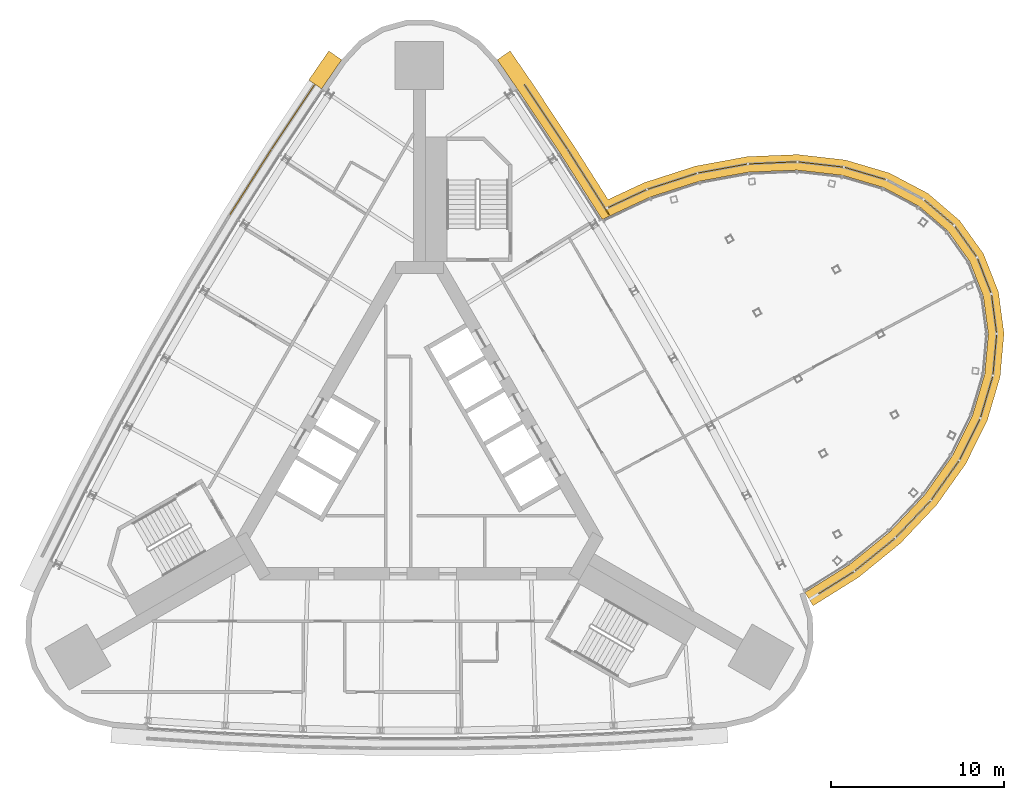
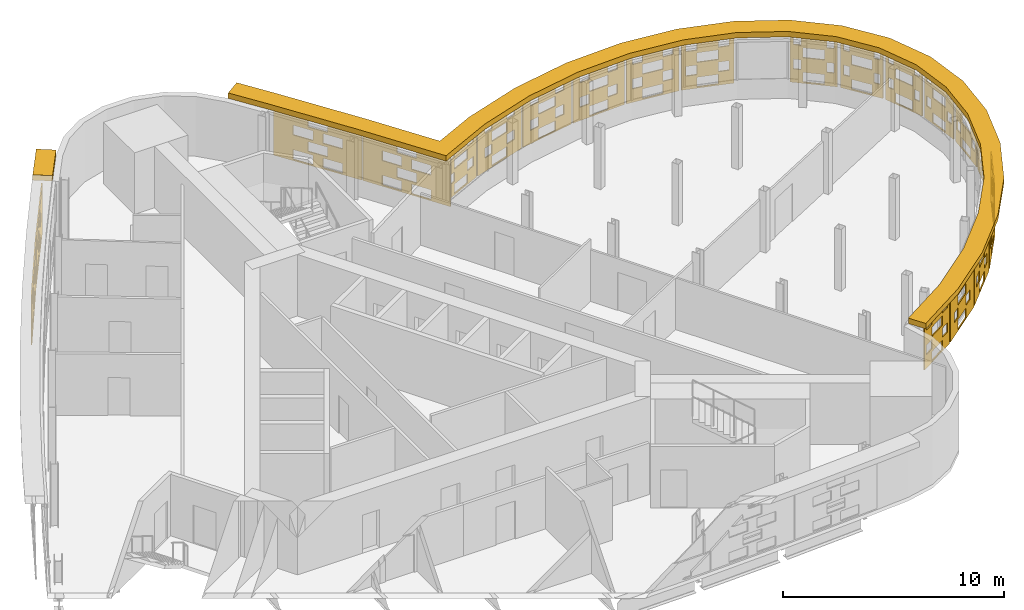
# One storey, part 14 of 15: 23 shading devices.
"""IFC4 building model written with IfcOpenShell, lengths in metres."""

from ifc_helpers import new_model, si_unit, direction, frame, origin, place, context, subcontext, project, spatial, polyline, outline, extrude, material, layer, layer_set, material_profile, profile_set, type_object, element, save


model = new_model("IFC4")

# Units and contexts
model_context = context("Model", 3, precision=1e-05, world=origin(), true_north=direction((0.0, 1.0)))
body_context = subcontext(model_context, "Body", "Model", "MODEL_VIEW")
ifc_project = project(units=[si_unit("LENGTHUNIT", "METRE"), si_unit("AREAUNIT", "SQUARE_METRE"), si_unit("VOLUMEUNIT", "CUBIC_METRE"), si_unit("PLANEANGLEUNIT", "RADIAN"), si_unit("MASSUNIT", "GRAM", prefix="KILO")], contexts=[model_context])

# Site, building, storey
site_placement = place(None, origin())
site = spatial("IfcSite", under=ifc_project, at=site_placement, CompositionType="ELEMENT")
building_placement = place(site_placement, origin())
building = spatial("IfcBuilding", under=site, at=building_placement, Name="Noor Cloister Tower", CompositionType="ELEMENT")
storey_placement = place(building_placement, frame((0.0, 0.0, 174.300048828125)))
storey = spatial("IfcBuildingStorey", under=building, at=storey_placement, Name="L44", CompositionType="ELEMENT", Elevation=174.300048828125)

# Shading devices
ifc_material_1 = material(Name="Limestone", Category="masonry")
ifc_material_profile = material_profile(ifc_material_1, outline(polyline([(-2.22998046875, -1.35009765625), (2.22998046875, -1.35009765625), (2.22998046875, 1.35009765625), (-2.22998046875, 1.35009765625), (-2.22998046875, -1.35009765625)]), holes=[polyline([(-1.25, -1.282470703125), (-0.25, -1.282470703125), (-0.25, -0.742431640625), (-1.25, -0.742431640625), (-1.25, -1.282470703125)]), polyline([(0.25, -1.282470703125), (1.25, -1.282470703125), (1.25, -0.742431640625), (0.25, -0.742431640625), (0.25, -1.282470703125)]), polyline([(-0.5, -0.607421875), (0.5, -0.607421875), (0.5, -0.0673828125), (-0.5, -0.0673828125), (-0.5, -0.607421875)]), polyline([(-1.25, 0.0673828125), (-0.25, 0.0673828125), (-0.25, 0.607421875), (-1.25, 0.607421875), (-1.25, 0.0673828125)]), polyline([(0.25, 0.0673828125), (1.25, 0.0673828125), (1.25, 0.607421875), (0.25, 0.607421875), (0.25, 0.0673828125)]), polyline([(-0.5, 0.742431640625), (0.5, 0.742431640625), (0.5, 1.282470703125), (-0.5, 1.282470703125), (-0.5, 0.742431640625)])]), Name="Woven screen 32 percent open")
ifc_profile_set = profile_set([ifc_material_profile], Name="Limestone")
shading_device_type_1 = type_object("IfcShadingDeviceType", Name="SCREEN woven limestone 32 percent open", PredefinedType="USERDEFINED", material=ifc_profile_set)
shading_device_1_placement = place(storey_placement, frame((-7.2734375, 19.809326171875, 1.849853515625), z_axis=(-0.832050294338, 0.554700196225, 0.0), x_axis=(-0.554700196225, -0.832050294338, 0.0)))
element("IfcShadingDevice", 1, at=shading_device_1_placement, inside=storey, type_object=shading_device_type_1, Name="SCREEN L44 1", ObjectType="SCREEN", PredefinedType="USERDEFINED", context=body_context, shape_type="SweptSolid", body=[
    extrude(outline(polyline([(-2.22998046875, -1.35009765625), (2.22998046875, -1.35009765625), (2.22998046875, 1.35009765625), (-2.22998046875, 1.35009765625), (-2.22998046875, -1.35009765625)]), holes=[polyline([(-1.25, -1.282470703125), (-0.25, -1.282470703125), (-0.25, -0.742431640625), (-1.25, -0.742431640625), (-1.25, -1.282470703125)]), polyline([(0.25, -1.282470703125), (1.25, -1.282470703125), (1.25, -0.742431640625), (0.25, -0.742431640625), (0.25, -1.282470703125)]), polyline([(-0.5, -0.607421875), (0.5, -0.607421875), (0.5, -0.0673828125), (-0.5, -0.0673828125), (-0.5, -0.607421875)]), polyline([(-1.25, 0.0673828125), (-0.25, 0.0673828125), (-0.25, 0.607421875), (-1.25, 0.607421875), (-1.25, 0.0673828125)]), polyline([(0.25, 0.0673828125), (1.25, 0.0673828125), (1.25, 0.607421875), (0.25, 0.607421875), (0.25, 0.0673828125)]), polyline([(-0.5, 0.742431640625), (0.5, 0.742431640625), (0.5, 1.282470703125), (-0.5, 1.282470703125), (-0.5, 0.742431640625)])]), origin(), (0.0, 0.0, 1.0), 0.059814453125),
])
for number, where, z_axis, x_axis, name in (
    (2, (-9.7314453125, 16.029052734375, 1.849853515625), (-0.844329420183, 0.535824439731, 0.0), (-0.535824439731, -0.844329420183, 0.0), "SCREEN L44 2"),
    (3, (9.7314453125, 16.029052734375, 1.849853515625), (0.844329420183, 0.535824439731, 0.0), (-0.535824439731, 0.844329420183, 0.0), "SCREEN L44 19"),
):
    element("IfcShadingDevice", number, at=place(storey_placement, frame(where, z_axis=z_axis, x_axis=x_axis)), inside=storey, type_object=shading_device_type_1, Name=name, ObjectType="SCREEN", PredefinedType="USERDEFINED", context=body_context, shape_type="SweptSolid", body=[
        extrude(outline(polyline([(-2.22998046875, -1.35009765625), (2.22998046875, -1.35009765625), (2.22998046875, 1.35009765625), (-2.22998046875, 1.35009765625), (-2.22998046875, -1.35009765625)]), holes=[polyline([(-1.25, -1.282470703125), (-0.25, -1.282470703125), (-0.25, -0.742431640625), (-1.25, -0.742431640625), (-1.25, -1.282470703125)]), polyline([(0.25, -1.282470703125), (1.25, -1.282470703125), (1.25, -0.742431640625), (0.25, -0.742431640625), (0.25, -1.282470703125)]), polyline([(-0.5, -0.607421875), (0.5, -0.607421875), (0.5, -0.0673828125), (-0.5, -0.0673828125), (-0.5, -0.607421875)]), polyline([(-1.25, 0.0673828125), (-0.25, 0.0673828125), (-0.25, 0.607421875), (-1.25, 0.607421875), (-1.25, 0.0673828125)]), polyline([(0.25, 0.0673828125), (1.25, 0.0673828125), (1.25, 0.607421875), (0.25, 0.607421875), (0.25, 0.0673828125)]), polyline([(-0.5, 0.742431640625), (0.5, 0.742431640625), (0.5, 1.282470703125), (-0.5, 1.282470703125), (-0.5, 0.742431640625)])]), origin(), (0.0, 0.0, 1.0), 0.06005859375),
    ])
shading_device_2_placement = place(storey_placement, frame((7.2734375, 19.809326171875, 1.849853515625), z_axis=(0.832050294338, 0.554700196225, 0.0), x_axis=(-0.554700196225, 0.832050294338, 0.0)))
element("IfcShadingDevice", 4, at=shading_device_2_placement, inside=storey, type_object=shading_device_type_1, Name="SCREEN L44 20", ObjectType="SCREEN", PredefinedType="USERDEFINED", context=body_context, shape_type="SweptSolid", body=[
    extrude(outline(polyline([(-2.22998046875, -1.35009765625), (2.22998046875, -1.35009765625), (2.22998046875, 1.35009765625), (-2.22998046875, 1.35009765625), (-2.22998046875, -1.35009765625)]), holes=[polyline([(-1.25, -1.282470703125), (-0.25, -1.282470703125), (-0.25, -0.742431640625), (-1.25, -0.742431640625), (-1.25, -1.282470703125)]), polyline([(0.25, -1.282470703125), (1.25, -1.282470703125), (1.25, -0.742431640625), (0.25, -0.742431640625), (0.25, -1.282470703125)]), polyline([(-0.5, -0.607421875), (0.5, -0.607421875), (0.5, -0.0673828125), (-0.5, -0.0673828125), (-0.5, -0.607421875)]), polyline([(-1.25, 0.0673828125), (-0.25, 0.0673828125), (-0.25, 0.607421875), (-1.25, 0.607421875), (-1.25, 0.0673828125)]), polyline([(0.25, 0.0673828125), (1.25, 0.0673828125), (1.25, 0.607421875), (0.25, 0.607421875), (0.25, 0.0673828125)]), polyline([(-0.5, 0.742431640625), (0.5, 0.742431640625), (0.5, 1.282470703125), (-0.5, 1.282470703125), (-0.5, 0.742431640625)])]), origin(), (0.0, 0.0, 1.0), 0.059814453125),
])
ifc_material_2 = material(Name="Limestone", Category="masonry")
ifc_layer = layer(ifc_material_2, 0.06005859375)
ifc_layer_set = layer_set([ifc_layer], Name="SCREEN woven limestone pod 32 percent open")
shading_device_type_2 = type_object("IfcShadingDeviceType", Name="SCREEN woven limestone pod 32 percent open", PredefinedType="USERDEFINED", material=ifc_layer_set)
shading_device_3_placement = place(storey_placement, frame((24.048583984375, -7.07763671875, 1.849853515625), z_axis=(0.529998940003, -0.847998304005, 0.0), x_axis=(0.847998304005, 0.529998940003, 0.0)))
element("IfcShadingDevice", 5, at=shading_device_3_placement, inside=storey, type_object=shading_device_type_2, Name="SCREEN L44 1", ObjectType="SCREEN", PredefinedType="USERDEFINED", context=body_context, shape_type="SweptSolid", body=[
    extrude(outline(polyline([(-1.202392578125, -1.35009765625), (1.202392578125, -1.35009765625), (1.202392578125, 1.35009765625), (-1.202392578125, 1.35009765625), (-1.202392578125, -1.35009765625)]), holes=[polyline([(-0.5, -1.272216796875), (0.5, -1.272216796875), (0.5, -0.7529296875), (-0.5, -0.7529296875), (-0.5, -1.272216796875)]), polyline([(-1.0, -0.59716796875), (-0.5, -0.59716796875), (-0.5, -0.077880859375), (-1.0, -0.077880859375), (-1.0, -0.59716796875)]), polyline([(0.5, -0.59716796875), (1.0, -0.59716796875), (1.0, -0.077880859375), (0.5, -0.077880859375), (0.5, -0.59716796875)]), polyline([(-0.5, 0.077880859375), (0.5, 0.077880859375), (0.5, 0.59716796875), (-0.5, 0.59716796875), (-0.5, 0.077880859375)]), polyline([(-1.0, 0.7529296875), (-0.5, 0.7529296875), (-0.5, 1.272216796875), (-1.0, 1.272216796875), (-1.0, 0.7529296875)]), polyline([(0.5, 0.7529296875), (1.0, 0.7529296875), (1.0, 1.272216796875), (0.5, 1.272216796875), (0.5, 0.7529296875)])]), origin(), (0.0, 0.0, 1.0), 0.059814453125),
])
shading_device_4_placement = place(storey_placement, frame((26.29296875, -5.45068359375, 1.849853515625), z_axis=(0.630133366333, -0.776486922384, 0.0), x_axis=(0.776486922384, 0.630133366333, 0.0)))
element("IfcShadingDevice", 6, at=shading_device_4_placement, inside=storey, type_object=shading_device_type_2, Name="SCREEN L44 2", ObjectType="SCREEN", PredefinedType="USERDEFINED", context=body_context, shape_type="SweptSolid", body=[
    extrude(outline(polyline([(-1.47900390625, -1.35009765625), (1.47900390625, -1.35009765625), (1.47900390625, 1.35009765625), (-1.47900390625, 1.35009765625), (-1.47900390625, -1.35009765625)]), holes=[polyline([(-0.5, -1.282470703125), (0.5, -1.282470703125), (0.5, -0.742431640625), (-0.5, -0.742431640625), (-0.5, -1.282470703125)]), polyline([(-1.0, -0.607421875), (-0.5, -0.607421875), (-0.5, -0.0673828125), (-1.0, -0.0673828125), (-1.0, -0.607421875)]), polyline([(0.5, -0.607421875), (1.0, -0.607421875), (1.0, -0.0673828125), (0.5, -0.0673828125), (0.5, -0.607421875)]), polyline([(-0.5, 0.0673828125), (0.5, 0.0673828125), (0.5, 0.607421875), (-0.5, 0.607421875), (-0.5, 0.0673828125)]), polyline([(-1.0, 0.742431640625), (-0.5, 0.742431640625), (-0.5, 1.282470703125), (-1.0, 1.282470703125), (-1.0, 0.742431640625)]), polyline([(0.5, 0.742431640625), (1.0, 0.742431640625), (1.0, 1.282470703125), (0.5, 1.282470703125), (0.5, 0.742431640625)])]), origin(), (0.0, 0.0, 1.0), 0.06005859375),
])
shading_device_5_placement = place(storey_placement, frame((28.49755859375, -3.40771484375, 1.849853515625), z_axis=(0.725202842945, -0.688535283471, 0.0), x_axis=(0.688535283471, 0.725202842945, 0.0)))
element("IfcShadingDevice", 7, at=shading_device_5_placement, inside=storey, type_object=shading_device_type_2, Name="SCREEN L44 3", ObjectType="SCREEN", PredefinedType="USERDEFINED", context=body_context, shape_type="SweptSolid", body=[
    extrude(outline(polyline([(-1.434326171875, -1.35009765625), (1.434326171875, -1.35009765625), (1.434326171875, 1.35009765625), (-1.434326171875, 1.35009765625), (-1.434326171875, -1.35009765625)]), holes=[polyline([(-0.5, -1.282470703125), (0.5, -1.282470703125), (0.5, -0.742431640625), (-0.5, -0.742431640625), (-0.5, -1.282470703125)]), polyline([(-1.0, -0.607421875), (-0.5, -0.607421875), (-0.5, -0.0673828125), (-1.0, -0.0673828125), (-1.0, -0.607421875)]), polyline([(0.5, -0.607421875), (1.0, -0.607421875), (1.0, -0.0673828125), (0.5, -0.0673828125), (0.5, -0.607421875)]), polyline([(-0.5, 0.0673828125), (0.5, 0.0673828125), (0.5, 0.607421875), (-0.5, 0.607421875), (-0.5, 0.0673828125)]), polyline([(-1.0, 0.742431640625), (-0.5, 0.742431640625), (-0.5, 1.282470703125), (-1.0, 1.282470703125), (-1.0, 0.742431640625)]), polyline([(0.5, 0.742431640625), (1.0, 0.742431640625), (1.0, 1.282470703125), (0.5, 1.282470703125), (0.5, 0.742431640625)])]), origin(), (0.0, 0.0, 1.0), 0.059814453125),
])
shading_device_6_placement = place(storey_placement, frame((30.341796875, -1.167236328125, 1.849853515625), z_axis=(0.81538298462, -0.57892191908, 0.0), x_axis=(0.57892191908, 0.81538298462, 0.0)))
element("IfcShadingDevice", 8, at=shading_device_6_placement, inside=storey, type_object=shading_device_type_2, Name="SCREEN L44 4", ObjectType="SCREEN", PredefinedType="USERDEFINED", context=body_context, shape_type="SweptSolid", body=[
    extrude(outline(polyline([(-1.37158203125, -1.35009765625), (1.37158203125, -1.35009765625), (1.37158203125, 1.35009765625), (-1.37158203125, 1.35009765625), (-1.37158203125, -1.35009765625)]), holes=[polyline([(-0.5, -1.282470703125), (0.5, -1.282470703125), (0.5, -0.742431640625), (-0.5, -0.742431640625), (-0.5, -1.282470703125)]), polyline([(-1.0, -0.607421875), (-0.5, -0.607421875), (-0.5, -0.0673828125), (-1.0, -0.0673828125), (-1.0, -0.607421875)]), polyline([(0.5, -0.607421875), (1.0, -0.607421875), (1.0, -0.0673828125), (0.5, -0.0673828125), (0.5, -0.607421875)]), polyline([(-0.5, 0.0673828125), (0.5, 0.0673828125), (0.5, 0.607421875), (-0.5, 0.607421875), (-0.5, 0.0673828125)]), polyline([(-1.0, 0.742431640625), (-0.5, 0.742431640625), (-0.5, 1.282470703125), (-1.0, 1.282470703125), (-1.0, 0.742431640625)]), polyline([(0.5, 0.742431640625), (1.0, 0.742431640625), (1.0, 1.282470703125), (0.5, 1.282470703125), (0.5, 0.742431640625)])]), origin(), (0.0, 0.0, 1.0), 0.059814453125),
])
shading_device_7_placement = place(storey_placement, frame((31.769775390625, 1.20654296875, 1.849853515625), z_axis=(0.894427191, -0.4472135955, 0.0), x_axis=(0.4472135955, 0.894427191, 0.0)))
element("IfcShadingDevice", 9, at=shading_device_7_placement, inside=storey, type_object=shading_device_type_2, Name="SCREEN L44 5", ObjectType="SCREEN", PredefinedType="USERDEFINED", context=body_context, shape_type="SweptSolid", body=[
    extrude(outline(polyline([(-1.296875, -1.35009765625), (1.296875, -1.35009765625), (1.296875, 1.35009765625), (-1.296875, 1.35009765625), (-1.296875, -1.35009765625)]), holes=[polyline([(-0.5, -1.282470703125), (0.5, -1.282470703125), (0.5, -0.742431640625), (-0.5, -0.742431640625), (-0.5, -1.282470703125)]), polyline([(-1.0, -0.607421875), (-0.5, -0.607421875), (-0.5, -0.0673828125), (-1.0, -0.0673828125), (-1.0, -0.607421875)]), polyline([(0.5, -0.607421875), (1.0, -0.607421875), (1.0, -0.0673828125), (0.5, -0.0673828125), (0.5, -0.607421875)]), polyline([(-0.5, 0.0673828125), (0.5, 0.0673828125), (0.5, 0.607421875), (-0.5, 0.607421875), (-0.5, 0.0673828125)]), polyline([(-1.0, 0.742431640625), (-0.5, 0.742431640625), (-0.5, 1.282470703125), (-1.0, 1.282470703125), (-1.0, 0.742431640625)]), polyline([(0.5, 0.742431640625), (1.0, 0.742431640625), (1.0, 1.282470703125), (0.5, 1.282470703125), (0.5, 0.742431640625)])]), origin(), (0.0, 0.0, 1.0), 0.06005859375),
])
shading_device_8_placement = place(storey_placement, frame((32.736328125, 3.645263671875, 1.849853515625), z_axis=(0.958716108487, -0.284364947432, 0.0), x_axis=(0.284364947432, 0.958716108487, 0.0)))
element("IfcShadingDevice", 10, at=shading_device_8_placement, inside=storey, type_object=shading_device_type_2, Name="SCREEN L44 6", ObjectType="SCREEN", PredefinedType="USERDEFINED", context=body_context, shape_type="SweptSolid", body=[
    extrude(outline(polyline([(-1.2177734375, -1.35009765625), (1.2177734375, -1.35009765625), (1.2177734375, 1.35009765625), (-1.2177734375, 1.35009765625), (-1.2177734375, -1.35009765625)]), holes=[polyline([(-0.5, -1.275634765625), (0.5, -1.275634765625), (0.5, -0.74951171875), (-0.5, -0.74951171875), (-0.5, -1.275634765625)]), polyline([(-1.0, -0.6005859375), (-0.5, -0.6005859375), (-0.5, -0.074462890625), (-1.0, -0.074462890625), (-1.0, -0.6005859375)]), polyline([(0.5, -0.6005859375), (1.0, -0.6005859375), (1.0, -0.074462890625), (0.5, -0.074462890625), (0.5, -0.6005859375)]), polyline([(-0.5, 0.074462890625), (0.5, 0.074462890625), (0.5, 0.6005859375), (-0.5, 0.6005859375), (-0.5, 0.074462890625)]), polyline([(-1.0, 0.74951171875), (-0.5, 0.74951171875), (-0.5, 1.275634765625), (-1.0, 1.275634765625), (-1.0, 0.74951171875)]), polyline([(0.5, 0.74951171875), (1.0, 0.74951171875), (1.0, 1.275634765625), (0.5, 1.275634765625), (0.5, 0.74951171875)])]), origin(), (0.0, 0.0, 1.0), 0.06005859375),
])
shading_device_9_placement = place(storey_placement, frame((33.2080078125, 6.078369140625, 1.849853515625), z_axis=(0.995959849254, -0.089799658539, 0.0), x_axis=(0.089799658539, 0.995959849254, 0.0)))
element("IfcShadingDevice", 11, at=shading_device_9_placement, inside=storey, type_object=shading_device_type_2, Name="SCREEN L44 7", ObjectType="SCREEN", PredefinedType="USERDEFINED", context=body_context, shape_type="SweptSolid", body=[
    extrude(outline(polyline([(-1.1435546875, -1.35009765625), (1.1435546875, -1.35009765625), (1.1435546875, 1.35009765625), (-1.1435546875, 1.35009765625), (-1.1435546875, -1.35009765625)]), holes=[polyline([(-0.5, -1.282470703125), (0.5, -1.282470703125), (0.5, -0.742431640625), (-0.5, -0.742431640625), (-0.5, -1.282470703125)]), polyline([(0.60009765625, -0.607421875), (0.993408203125, -0.607421875), (0.993408203125, -0.0673828125), (0.60009765625, -0.0673828125), (0.60009765625, -0.607421875)]), polyline([(-0.993408203125, -0.607421875), (-0.60009765625, -0.607421875), (-0.60009765625, -0.0673828125), (-0.993408203125, -0.0673828125), (-0.993408203125, -0.607421875)]), polyline([(-0.5, 0.0673828125), (0.5, 0.0673828125), (0.5, 0.607421875), (-0.5, 0.607421875), (-0.5, 0.0673828125)]), polyline([(0.60009765625, 0.742431640625), (0.993408203125, 0.742431640625), (0.993408203125, 1.282470703125), (0.60009765625, 1.282470703125), (0.60009765625, 0.742431640625)]), polyline([(-0.993408203125, 0.742431640625), (-0.60009765625, 0.742431640625), (-0.60009765625, 1.282470703125), (-0.993408203125, 1.282470703125), (-0.993408203125, 0.742431640625)])]), origin(), (0.0, 0.0, 1.0), 0.059814453125),
])
shading_device_10_placement = place(storey_placement, frame((33.163818359375, 8.432373046875, 1.849853515625), z_axis=(0.991509530601, 0.1300340368, 0.0), x_axis=(-0.1300340368, 0.991509530601, 0.0)))
element("IfcShadingDevice", 12, at=shading_device_10_placement, inside=storey, type_object=shading_device_type_2, Name="SCREEN L44 8", ObjectType="SCREEN", PredefinedType="USERDEFINED", context=body_context, shape_type="SweptSolid", body=[
    extrude(outline(polyline([(-1.085205078125, -1.35009765625), (1.085205078125, -1.35009765625), (1.085205078125, 1.35009765625), (-1.085205078125, 1.35009765625), (-1.085205078125, -1.35009765625)]), holes=[polyline([(-0.5, -1.282470703125), (0.5, -1.282470703125), (0.5, -0.742431640625), (-0.5, -0.742431640625), (-0.5, -1.282470703125)]), polyline([(0.60009765625, -0.607421875), (0.935302734375, -0.607421875), (0.935302734375, -0.0673828125), (0.60009765625, -0.0673828125), (0.60009765625, -0.607421875)]), polyline([(-0.935302734375, -0.607421875), (-0.60009765625, -0.607421875), (-0.60009765625, -0.0673828125), (-0.935302734375, -0.0673828125), (-0.935302734375, -0.607421875)]), polyline([(-0.5, 0.0673828125), (0.5, 0.0673828125), (0.5, 0.607421875), (-0.5, 0.607421875), (-0.5, 0.0673828125)]), polyline([(0.60009765625, 0.742431640625), (0.935302734375, 0.742431640625), (0.935302734375, 1.282470703125), (0.60009765625, 1.282470703125), (0.60009765625, 0.742431640625)]), polyline([(-0.935302734375, 0.742431640625), (-0.60009765625, 0.742431640625), (-0.60009765625, 1.282470703125), (-0.935302734375, 1.282470703125), (-0.935302734375, 0.742431640625)])]), origin(), (0.0, 0.0, 1.0), 0.06005859375),
])
for number, where, z_axis, x_axis, name in (
    (13, (32.599609375, 10.631591796875, 1.849853515625), (0.930702085815, 0.365778112329, 0.0), (-0.365778112329, 0.930702085815, 0.0), "SCREEN L44 9"),
    (14, (31.52978515625, 12.600830078125, 1.849853515625), (0.813458563169, 0.581622872666, 0.0), (-0.581622872666, 0.813458563169, 0.0), "SCREEN L44 10"),
):
    element("IfcShadingDevice", number, at=place(storey_placement, frame(where, z_axis=z_axis, x_axis=x_axis)), inside=storey, type_object=shading_device_type_2, Name=name, ObjectType="SCREEN", PredefinedType="USERDEFINED", context=body_context, shape_type="SweptSolid", body=[
        extrude(outline(polyline([(-1.052978515625, -1.35009765625), (1.052978515625, -1.35009765625), (1.052978515625, 1.35009765625), (-1.052978515625, 1.35009765625), (-1.052978515625, -1.35009765625)]), holes=[polyline([(-0.5, -1.282470703125), (0.5, -1.282470703125), (0.5, -0.742431640625), (-0.5, -0.742431640625), (-0.5, -1.282470703125)]), polyline([(0.60009765625, -0.607421875), (0.903076171875, -0.607421875), (0.903076171875, -0.0673828125), (0.60009765625, -0.0673828125), (0.60009765625, -0.607421875)]), polyline([(-0.903076171875, -0.607421875), (-0.60009765625, -0.607421875), (-0.60009765625, -0.0673828125), (-0.903076171875, -0.0673828125), (-0.903076171875, -0.607421875)]), polyline([(-0.5, 0.0673828125), (0.5, 0.0673828125), (0.5, 0.607421875), (-0.5, 0.607421875), (-0.5, 0.0673828125)]), polyline([(0.60009765625, 0.742431640625), (0.903076171875, 0.742431640625), (0.903076171875, 1.282470703125), (0.60009765625, 1.282470703125), (0.60009765625, 0.742431640625)]), polyline([(-0.903076171875, 0.742431640625), (-0.60009765625, 0.742431640625), (-0.60009765625, 1.282470703125), (-0.903076171875, 1.282470703125), (-0.903076171875, 0.742431640625)])]), origin(), (0.0, 0.0, 1.0), 0.06005859375),
    ])
shading_device_11_placement = place(storey_placement, frame((29.9921875, 14.271240234375, 1.849853515625), z_axis=(0.647766670763, 0.761838788884, 0.0), x_axis=(-0.761838788884, 0.647766670763, 0.0)))
element("IfcShadingDevice", 15, at=shading_device_11_placement, inside=storey, type_object=shading_device_type_2, Name="SCREEN L44 11", ObjectType="SCREEN", PredefinedType="USERDEFINED", context=body_context, shape_type="SweptSolid", body=[
    extrude(outline(polyline([(-1.085205078125, -1.35009765625), (1.085205078125, -1.35009765625), (1.085205078125, 1.35009765625), (-1.085205078125, 1.35009765625), (-1.085205078125, -1.35009765625)]), holes=[polyline([(-0.5, -1.282470703125), (0.5, -1.282470703125), (0.5, -0.742431640625), (-0.5, -0.742431640625), (-0.5, -1.282470703125)]), polyline([(0.60009765625, -0.607421875), (0.935302734375, -0.607421875), (0.935302734375, -0.0673828125), (0.60009765625, -0.0673828125), (0.60009765625, -0.607421875)]), polyline([(-0.935302734375, -0.607421875), (-0.60009765625, -0.607421875), (-0.60009765625, -0.0673828125), (-0.935302734375, -0.0673828125), (-0.935302734375, -0.607421875)]), polyline([(-0.5, 0.0673828125), (0.5, 0.0673828125), (0.5, 0.607421875), (-0.5, 0.607421875), (-0.5, 0.0673828125)]), polyline([(0.60009765625, 0.742431640625), (0.935302734375, 0.742431640625), (0.935302734375, 1.282470703125), (0.60009765625, 1.282470703125), (0.60009765625, 0.742431640625)]), polyline([(-0.935302734375, 0.742431640625), (-0.60009765625, 0.742431640625), (-0.60009765625, 1.282470703125), (-0.935302734375, 1.282470703125), (-0.935302734375, 0.742431640625)])]), origin(), (0.0, 0.0, 1.0), 0.059814453125),
])
shading_device_12_placement = place(storey_placement, frame((25.743408203125, 16.518310546875, 1.849853515625), z_axis=(0.284364947432, 0.958716108487, 0.0), x_axis=(-0.958716108487, 0.284364947432, 0.0)))
element("IfcShadingDevice", 16, at=shading_device_12_placement, inside=storey, type_object=shading_device_type_2, Name="SCREEN L44 13", ObjectType="SCREEN", PredefinedType="USERDEFINED", context=body_context, shape_type="SweptSolid", body=[
    extrude(outline(polyline([(-1.2177734375, -1.35009765625), (1.2177734375, -1.35009765625), (1.2177734375, 1.35009765625), (-1.2177734375, 1.35009765625), (-1.2177734375, -1.35009765625)]), holes=[polyline([(-0.5, -1.275634765625), (0.5, -1.275634765625), (0.5, -0.74951171875), (-0.5, -0.74951171875), (-0.5, -1.275634765625)]), polyline([(-1.0, -0.6005859375), (-0.5, -0.6005859375), (-0.5, -0.074462890625), (-1.0, -0.074462890625), (-1.0, -0.6005859375)]), polyline([(0.5, -0.6005859375), (1.0, -0.6005859375), (1.0, -0.074462890625), (0.5, -0.074462890625), (0.5, -0.6005859375)]), polyline([(-0.5, 0.074462890625), (0.5, 0.074462890625), (0.5, 0.6005859375), (-0.5, 0.6005859375), (-0.5, 0.074462890625)]), polyline([(-1.0, 0.74951171875), (-0.5, 0.74951171875), (-0.5, 1.275634765625), (-1.0, 1.275634765625), (-1.0, 0.74951171875)]), polyline([(0.5, 0.74951171875), (1.0, 0.74951171875), (1.0, 1.275634765625), (0.5, 1.275634765625), (0.5, 0.74951171875)])]), origin(), (0.0, 0.0, 1.0), 0.06005859375),
])
shading_device_13_placement = place(storey_placement, frame((23.171630859375, 17.034912109375, 1.849853515625), z_axis=(0.114005909847, 0.993480071526, 0.0), x_axis=(-0.993480071526, 0.114005909847, 0.0)))
element("IfcShadingDevice", 17, at=shading_device_13_placement, inside=storey, type_object=shading_device_type_2, Name="SCREEN L44 14", ObjectType="SCREEN", PredefinedType="USERDEFINED", context=body_context, shape_type="SweptSolid", body=[
    extrude(outline(polyline([(-1.296875, -1.35009765625), (1.296875, -1.35009765625), (1.296875, 1.35009765625), (-1.296875, 1.35009765625), (-1.296875, -1.35009765625)]), holes=[polyline([(-0.5, -1.282470703125), (0.5, -1.282470703125), (0.5, -0.742431640625), (-0.5, -0.742431640625), (-0.5, -1.282470703125)]), polyline([(-1.0, -0.607421875), (-0.5, -0.607421875), (-0.5, -0.0673828125), (-1.0, -0.0673828125), (-1.0, -0.607421875)]), polyline([(0.5, -0.607421875), (1.0, -0.607421875), (1.0, -0.0673828125), (0.5, -0.0673828125), (0.5, -0.607421875)]), polyline([(-0.5, 0.0673828125), (0.5, 0.0673828125), (0.5, 0.607421875), (-0.5, 0.607421875), (-0.5, 0.0673828125)]), polyline([(-1.0, 0.742431640625), (-0.5, 0.742431640625), (-0.5, 1.282470703125), (-1.0, 1.282470703125), (-1.0, 0.742431640625)]), polyline([(0.5, 0.742431640625), (1.0, 0.742431640625), (1.0, 1.282470703125), (0.5, 1.282470703125), (0.5, 0.742431640625)])]), origin(), (0.0, 0.0, 1.0), 0.06005859375),
])
shading_device_14_placement = place(storey_placement, frame((20.403076171875, 17.12890625, 1.849853515625), z_axis=(-0.044670810456, 0.999001761106, 0.0), x_axis=(-0.999001761106, -0.044670810456, 0.0)))
element("IfcShadingDevice", 18, at=shading_device_14_placement, inside=storey, type_object=shading_device_type_2, Name="SCREEN L44 15", ObjectType="SCREEN", PredefinedType="USERDEFINED", context=body_context, shape_type="SweptSolid", body=[
    extrude(outline(polyline([(-1.37158203125, -1.35009765625), (1.37158203125, -1.35009765625), (1.37158203125, 1.35009765625), (-1.37158203125, 1.35009765625), (-1.37158203125, -1.35009765625)]), holes=[polyline([(-0.5, -1.282470703125), (0.5, -1.282470703125), (0.5, -0.742431640625), (-0.5, -0.742431640625), (-0.5, -1.282470703125)]), polyline([(-1.0, -0.607421875), (-0.5, -0.607421875), (-0.5, -0.0673828125), (-1.0, -0.0673828125), (-1.0, -0.607421875)]), polyline([(0.5, -0.607421875), (1.0, -0.607421875), (1.0, -0.0673828125), (0.5, -0.0673828125), (0.5, -0.607421875)]), polyline([(-0.5, 0.0673828125), (0.5, 0.0673828125), (0.5, 0.607421875), (-0.5, 0.607421875), (-0.5, 0.0673828125)]), polyline([(-1.0, 0.742431640625), (-0.5, 0.742431640625), (-0.5, 1.282470703125), (-1.0, 1.282470703125), (-1.0, 0.742431640625)]), polyline([(0.5, 0.742431640625), (1.0, 0.742431640625), (1.0, 1.282470703125), (0.5, 1.282470703125), (0.5, 0.742431640625)])]), origin(), (0.0, 0.0, 1.0), 0.06005859375),
])
shading_device_15_placement = place(storey_placement, frame((17.51953125, 16.80126953125, 1.849853515625), z_axis=(-0.1788854382, 0.9838699101, 0.0), x_axis=(-0.9838699101, -0.1788854382, 0.0)))
element("IfcShadingDevice", 19, at=shading_device_15_placement, inside=storey, type_object=shading_device_type_2, Name="SCREEN L44 16", ObjectType="SCREEN", PredefinedType="USERDEFINED", context=body_context, shape_type="SweptSolid", body=[
    extrude(outline(polyline([(-1.434326171875, -1.35009765625), (1.434326171875, -1.35009765625), (1.434326171875, 1.35009765625), (-1.434326171875, 1.35009765625), (-1.434326171875, -1.35009765625)]), holes=[polyline([(-0.5, -1.282470703125), (0.5, -1.282470703125), (0.5, -0.742431640625), (-0.5, -0.742431640625), (-0.5, -1.282470703125)]), polyline([(-1.0, -0.607421875), (-0.5, -0.607421875), (-0.5, -0.0673828125), (-1.0, -0.0673828125), (-1.0, -0.607421875)]), polyline([(0.5, -0.607421875), (1.0, -0.607421875), (1.0, -0.0673828125), (0.5, -0.0673828125), (0.5, -0.607421875)]), polyline([(-0.5, 0.0673828125), (0.5, 0.0673828125), (0.5, 0.607421875), (-0.5, 0.607421875), (-0.5, 0.0673828125)]), polyline([(-1.0, 0.742431640625), (-0.5, 0.742431640625), (-0.5, 1.282470703125), (-1.0, 1.282470703125), (-1.0, 0.742431640625)]), polyline([(0.5, 0.742431640625), (1.0, 0.742431640625), (1.0, 1.282470703125), (0.5, 1.282470703125), (0.5, 0.742431640625)])]), origin(), (0.0, 0.0, 1.0), 0.06005859375),
])
shading_device_16_placement = place(storey_placement, frame((14.60595703125, 16.06396484375, 1.849853515625), z_axis=(-0.30890225635, 0.951093789288, 0.0), x_axis=(-0.951093789288, -0.30890225635, 0.0)))
element("IfcShadingDevice", 20, at=shading_device_16_placement, inside=storey, type_object=shading_device_type_2, Name="SCREEN L44 17", ObjectType="SCREEN", PredefinedType="USERDEFINED", context=body_context, shape_type="SweptSolid", body=[
    extrude(outline(polyline([(-1.47900390625, -1.35009765625), (1.47900390625, -1.35009765625), (1.47900390625, 1.35009765625), (-1.47900390625, 1.35009765625), (-1.47900390625, -1.35009765625)]), holes=[polyline([(-0.5, -1.282470703125), (0.5, -1.282470703125), (0.5, -0.742431640625), (-0.5, -0.742431640625), (-0.5, -1.282470703125)]), polyline([(-1.0, -0.607421875), (-0.5, -0.607421875), (-0.5, -0.0673828125), (-1.0, -0.0673828125), (-1.0, -0.607421875)]), polyline([(0.5, -0.607421875), (1.0, -0.607421875), (1.0, -0.0673828125), (0.5, -0.0673828125), (0.5, -0.607421875)]), polyline([(-0.5, 0.0673828125), (0.5, 0.0673828125), (0.5, 0.607421875), (-0.5, 0.607421875), (-0.5, 0.0673828125)]), polyline([(-1.0, 0.742431640625), (-0.5, 0.742431640625), (-0.5, 1.282470703125), (-1.0, 1.282470703125), (-1.0, 0.742431640625)]), polyline([(0.5, 0.742431640625), (1.0, 0.742431640625), (1.0, 1.282470703125), (0.5, 1.282470703125), (0.5, 0.742431640625)])]), origin(), (0.0, 0.0, 1.0), 0.06005859375),
])
shading_device_17_placement = place(storey_placement, frame((12.01953125, 15.066650390625, 1.849853515625), z_axis=(-0.422662967166, 0.906286939212, 0.0), x_axis=(-0.906286939212, -0.422662967166, 0.0)))
element("IfcShadingDevice", 21, at=shading_device_17_placement, inside=storey, type_object=shading_device_type_2, Name="SCREEN L44 18", ObjectType="SCREEN", PredefinedType="USERDEFINED", context=body_context, shape_type="SweptSolid", body=[
    extrude(outline(polyline([(-1.202392578125, -1.35009765625), (1.202392578125, -1.35009765625), (1.202392578125, 1.35009765625), (-1.202392578125, 1.35009765625), (-1.202392578125, -1.35009765625)]), holes=[polyline([(-0.5, -1.272216796875), (0.5, -1.272216796875), (0.5, -0.7529296875), (-0.5, -0.7529296875), (-0.5, -1.272216796875)]), polyline([(-1.0, -0.59716796875), (-0.5, -0.59716796875), (-0.5, -0.077880859375), (-1.0, -0.077880859375), (-1.0, -0.59716796875)]), polyline([(0.5, -0.59716796875), (1.0, -0.59716796875), (1.0, -0.077880859375), (0.5, -0.077880859375), (0.5, -0.59716796875)]), polyline([(-0.5, 0.077880859375), (0.5, 0.077880859375), (0.5, 0.59716796875), (-0.5, 0.59716796875), (-0.5, 0.077880859375)]), polyline([(-1.0, 0.7529296875), (-0.5, 0.7529296875), (-0.5, 1.272216796875), (-1.0, 1.272216796875), (-1.0, 0.7529296875)]), polyline([(0.5, 0.7529296875), (1.0, 0.7529296875), (1.0, 1.272216796875), (0.5, 1.272216796875), (0.5, 0.7529296875)])]), origin(), (0.0, 0.0, 1.0), 0.06005859375),
])
ifc_material_3 = material(Name="Limestone", Category="masonry")
shading_device_type_3 = type_object("IfcShadingDeviceType", Name="SUNSHADE limestone band 900", PredefinedType="USERDEFINED", material=ifc_material_3)
shading_device_18_placement = place(storey_placement, frame((0.0, 0.0, 3.300048828125)))
element("IfcShadingDevice", 22, at=shading_device_18_placement, inside=storey, type_object=shading_device_type_3, Name="SUNSHADE L44 3", ObjectType="SUNSHADE", PredefinedType="USERDEFINED", context=body_context, shape_type="SweptSolid", body=[
    extrude(outline(polyline([(22.7421875, -8.42529296875), (25.37109375, -6.781494140625), (27.78515625, -4.81640625), (29.866943359375, -2.6142578125), (31.554443359375, -0.235595703125), (32.794677734375, 2.25537109375), (33.5439453125, 4.790283203125), (33.76904296875, 7.296630859375), (33.44970703125, 9.6953125), (32.586181640625, 11.8994140625), (31.207275390625, 13.82373046875), (29.368896484375, 15.397216796875), (27.1435546875, 16.57275390625), (24.609375, 17.32373046875), (21.8447265625, 17.63916015625), (18.9306640625, 17.518310546875), (15.9501953125, 16.970458984375), (12.98779296875, 16.014892578125), (10.89404296875, 15.038330078125), (8.899658203125, 18.177490234375), (6.397705078125, 21.9375), (5.23828125, 23.623291015625), (4.496826171875, 23.113037109375), (5.65234375, 21.43310546875), (8.145263671875, 17.68701171875), (10.55810546875, 13.888671875), (13.3173828125, 15.175537109375), (16.170654296875, 16.095947265625), (19.03125, 16.62158203125), (21.81201171875, 16.737060546875), (24.428955078125, 16.4384765625), (26.80224609375, 15.735107421875), (28.85986328125, 14.648193359375), (30.5390625, 13.210693359375), (31.7890625, 11.466552734375), (32.572021484375, 9.468505859375), (32.86376953125, 7.27734375), (32.65576171875, 4.959716796875), (31.953857421875, 2.5859375), (30.780029296875, 0.22802734375), (29.16943359375, -2.0419921875), (27.17138671875, -4.155517578125), (24.84619140625, -6.048095703125), (22.264892578125, -7.662353515625), (22.7421875, -8.42529296875)])), origin(), (0.0, 0.0, 1.0), 0.2998046875),
])
shading_device_19_placement = place(storey_placement, frame((0.0, 0.0, 3.300048828125)))
element("IfcShadingDevice", 23, at=shading_device_19_placement, inside=storey, type_object=shading_device_type_3, Name="SUNSHADE L44 4", ObjectType="SUNSHADE", PredefinedType="USERDEFINED", context=body_context, shape_type="SweptSolid", body=[
    extrude(outline(polyline([(-5.23828125, 23.623291015625), (-6.393798828125, 21.943359375), (-5.65234375, 21.43310546875), (-4.496826171875, 23.113037109375), (-5.23828125, 23.623291015625)])), origin(), (0.0, 0.0, 1.0), 0.2998046875),
])

save(model, "model.ifc")
